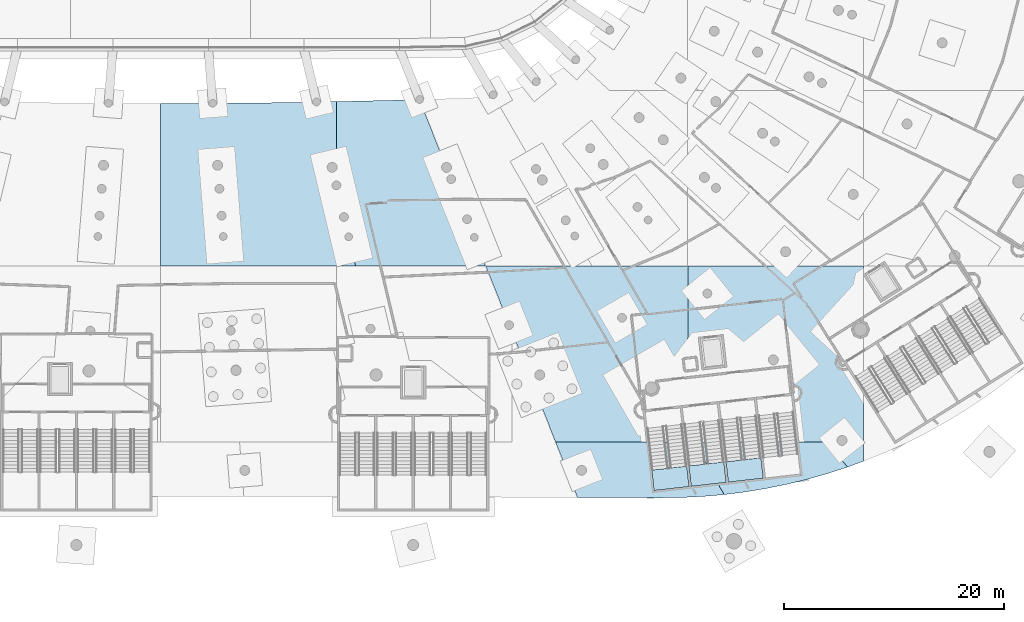
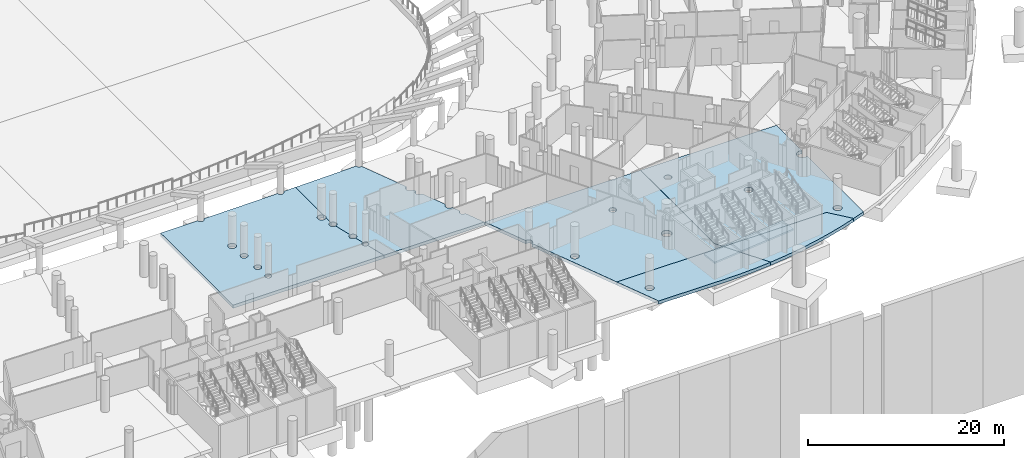
# One storey, part 20 of 142: 9 slabs, 3 elements without a shape of their own.
"""IFC4 building model written with IfcOpenShell, lengths in metres."""

from ifc_helpers import new_model, si_unit, direction, frame, origin, place, context, subcontext, project, spatial, polyline, outline, extrude, material, layer, layer_set, type_object, element, aggregate, save


model = new_model("IFC4")

# Units and contexts
model_context = context("Model", 3, precision=1e-05, world=origin(), true_north=direction((0.0, 1.0)))
body_context = subcontext(model_context, "Body", "Model", "MODEL_VIEW")
ifc_project = project(units=[si_unit("LENGTHUNIT", "METRE"), si_unit("AREAUNIT", "SQUARE_METRE"), si_unit("VOLUMEUNIT", "CUBIC_METRE"), si_unit("PLANEANGLEUNIT", "RADIAN"), si_unit("MASSUNIT", "GRAM", prefix="KILO")], contexts=[model_context])

# Site, building, storey
site_placement = place(None, origin())
site = spatial("IfcSite", under=ifc_project, at=site_placement, CompositionType="ELEMENT")
building_placement = place(site_placement, origin())
building = spatial("IfcBuilding", under=site, at=building_placement, Name="Meseta Stadium", CompositionType="ELEMENT")
storey_placement = place(building_placement, frame((0.0, 0.0, -4.0)))
storey = spatial("IfcBuildingStorey", under=building, at=storey_placement, Name="B1", CompositionType="ELEMENT", Elevation=-4.0)

# Slabs
ifc_material_1 = material(Name="Concrete C30/37", Category="concrete")
ifc_layer_1 = layer(ifc_material_1, 0.39990234375)
ifc_layer_set_1 = layer_set([ifc_layer_1], Name="Base slab 400")
slab_type_1 = type_object("IfcSlabType", Name="Base slab 400", PredefinedType="BASESLAB", material=ifc_layer_set_1)
slab_1_placement = place(storey_placement, frame((0.0, 0.0, -0.39990234375)))
element("IfcSlab", 1, at=slab_1_placement, inside=storey, type_object=slab_type_1, Name="Base slab B1 sector 42 panel 14", PredefinedType="BASESLAB", context=body_context, shape_type="SweptSolid", body=[
    extrude(outline(polyline([(4.676025390625, -65.528564453125), (4.610107421875, -65.508544921875), (4.54931640625, -65.47607421875), (4.49609375, -65.432373046875), (4.452392578125, -65.379150390625), (4.419921875, -65.318359375), (4.39990234375, -65.252197265625), (4.393310546875, -65.185791015625), (3.16357421875, -65.192626953125), (1.58203125, -65.1982421875), (0.0, -65.199951171875), (0.0, -80.0), (17.761962890625, -80.0), (17.2080078125, -77.673095703125), (17.1953125, -77.677001953125), (17.126708984375, -77.683837890625), (17.05810546875, -77.677001953125), (16.9921875, -77.656982421875), (16.931396484375, -77.62451171875), (16.8779296875, -77.580810546875), (16.834228515625, -77.527587890625), (16.8017578125, -77.466796875), (16.78173828125, -77.400634765625), (16.77490234375, -77.33203125), (16.78173828125, -77.263427734375), (16.8017578125, -77.197509765625), (16.834228515625, -77.13671875), (16.8779296875, -77.08349609375), (16.931396484375, -77.039794921875), (16.9921875, -77.007080078125), (17.04541015625, -76.990966796875), (16.790283203125, -75.919189453125), (16.77587890625, -75.923583984375), (16.697509765625, -75.931396484375), (16.619140625, -75.923583984375), (16.543701171875, -75.90087890625), (16.47412109375, -75.863525390625), (16.413330078125, -75.813720703125), (16.36328125, -75.752685546875), (16.326171875, -75.683349609375), (16.30322265625, -75.60791015625), (16.295654296875, -75.529296875), (16.30322265625, -75.450927734375), (16.326171875, -75.37548828125), (16.36328125, -75.30615234375), (16.413330078125, -75.2451171875), (16.47412109375, -75.1953125), (16.543701171875, -75.158203125), (16.604736328125, -75.1396484375), (16.10400390625, -73.036376953125), (16.089599609375, -73.040771484375), (16.010986328125, -73.04833984375), (15.9326171875, -73.040771484375), (15.857421875, -73.017822265625), (15.787841796875, -72.980712890625), (15.726806640625, -72.9306640625), (15.677001953125, -72.869873046875), (15.6396484375, -72.80029296875), (15.616943359375, -72.724853515625), (15.609130859375, -72.646484375), (15.616943359375, -72.568115234375), (15.6396484375, -72.49267578125), (15.677001953125, -72.423095703125), (15.726806640625, -72.3623046875), (15.787841796875, -72.312255859375), (15.857421875, -72.275146484375), (15.9326171875, -72.252197265625), (16.0, -72.24560546875), (16.0, -71.254638671875), (15.9970703125, -71.260009765625), (15.94091796875, -71.32861328125), (15.872314453125, -71.384765625), (15.794189453125, -71.426513671875), (15.70947265625, -71.452392578125), (15.62109375, -71.4609375), (15.532958984375, -71.452392578125), (15.447998046875, -71.426513671875), (15.369873046875, -71.384765625), (15.301513671875, -71.32861328125), (15.2451171875, -71.260009765625), (15.203369140625, -71.181884765625), (15.177734375, -71.09716796875), (15.1689453125, -71.0087890625), (15.177734375, -70.920654296875), (15.203369140625, -70.835693359375), (15.2451171875, -70.757568359375), (15.301513671875, -70.689208984375), (15.369873046875, -70.6328125), (15.447998046875, -70.591064453125), (15.532958984375, -70.5654296875), (15.62109375, -70.556640625), (15.70947265625, -70.5654296875), (15.794189453125, -70.591064453125), (15.872314453125, -70.6328125), (15.94091796875, -70.689208984375), (15.9970703125, -70.757568359375), (16.0, -70.762939453125), (16.0, -65.022216796875), (14.555419921875, -65.051513671875), (14.55615234375, -65.05859375), (14.54931640625, -65.127197265625), (14.529296875, -65.193115234375), (14.496826171875, -65.25390625), (14.453125, -65.307373046875), (14.39990234375, -65.35107421875), (14.339111328125, -65.383544921875), (14.27294921875, -65.403564453125), (14.204345703125, -65.410400390625), (14.1357421875, -65.403564453125), (14.06982421875, -65.383544921875), (14.009033203125, -65.35107421875), (13.955810546875, -65.307373046875), (13.912109375, -65.25390625), (13.87939453125, -65.193115234375), (13.859619140625, -65.127197265625), (13.853515625, -65.06494140625), (12.632080078125, -65.08740234375), (11.05810546875, -65.113037109375), (9.48193359375, -65.1357421875), (7.904052734375, -65.155029296875), (6.324951171875, -65.171142578125), (5.09619140625, -65.180908203125), (5.089599609375, -65.252197265625), (5.069580078125, -65.318359375), (5.037109375, -65.379150390625), (4.993408203125, -65.432373046875), (4.940185546875, -65.47607421875), (4.87939453125, -65.508544921875), (4.8134765625, -65.528564453125), (4.74462890625, -65.535400390625), (4.676025390625, -65.528564453125)]), holes=[polyline([(4.740234375, -70.82421875), (4.748779296875, -70.73583984375), (4.774658203125, -70.65087890625), (4.81640625, -70.572998046875), (4.87255859375, -70.50439453125), (4.941162109375, -70.447998046875), (5.019287109375, -70.40625), (5.104248046875, -70.380615234375), (5.1923828125, -70.371826171875), (5.280517578125, -70.380615234375), (5.365478515625, -70.40625), (5.443603515625, -70.447998046875), (5.51220703125, -70.50439453125), (5.568359375, -70.572998046875), (5.610107421875, -70.65087890625), (5.635986328125, -70.73583984375), (5.64453125, -70.82421875), (5.635986328125, -70.912353515625), (5.610107421875, -70.9970703125), (5.568359375, -71.0751953125), (5.51220703125, -71.143798828125), (5.443603515625, -71.199951171875), (5.365478515625, -71.24169921875), (5.280517578125, -71.267578125), (5.1923828125, -71.2763671875), (5.104248046875, -71.267578125), (5.019287109375, -71.24169921875), (4.941162109375, -71.199951171875), (4.87255859375, -71.143798828125), (4.81640625, -71.0751953125), (4.774658203125, -70.9970703125), (4.748779296875, -70.912353515625), (4.740234375, -70.82421875)]), polyline([(4.9599609375, -72.959228515625), (4.967529296875, -72.880859375), (4.990478515625, -72.805419921875), (5.027587890625, -72.73583984375), (5.07763671875, -72.675048828125), (5.138427734375, -72.625), (5.2080078125, -72.587890625), (5.283447265625, -72.56494140625), (5.36181640625, -72.557373046875), (5.440185546875, -72.56494140625), (5.515625, -72.587890625), (5.585205078125, -72.625), (5.64599609375, -72.675048828125), (5.696044921875, -72.73583984375), (5.733154296875, -72.805419921875), (5.756103515625, -72.880859375), (5.763916015625, -72.959228515625), (5.756103515625, -73.03759765625), (5.733154296875, -73.113037109375), (5.696044921875, -73.1826171875), (5.64599609375, -73.243408203125), (5.585205078125, -73.29345703125), (5.515625, -73.33056640625), (5.440185546875, -73.353515625), (5.36181640625, -73.361083984375), (5.283447265625, -73.353515625), (5.2080078125, -73.33056640625), (5.138427734375, -73.29345703125), (5.07763671875, -73.243408203125), (5.027587890625, -73.1826171875), (4.990478515625, -73.113037109375), (4.967529296875, -73.03759765625), (4.9599609375, -72.959228515625)]), polyline([(5.15478515625, -75.414794921875), (5.16259765625, -75.33642578125), (5.185302734375, -75.260986328125), (5.222412109375, -75.191650390625), (5.2724609375, -75.130615234375), (5.33349609375, -75.080810546875), (5.40283203125, -75.043701171875), (5.478271484375, -75.020751953125), (5.556640625, -75.012939453125), (5.63525390625, -75.020751953125), (5.710693359375, -75.043701171875), (5.780029296875, -75.080810546875), (5.841064453125, -75.130615234375), (5.890869140625, -75.191650390625), (5.927978515625, -75.260986328125), (5.950927734375, -75.33642578125), (5.958740234375, -75.414794921875), (5.950927734375, -75.493408203125), (5.927978515625, -75.568603515625), (5.890869140625, -75.63818359375), (5.841064453125, -75.69921875), (5.780029296875, -75.7490234375), (5.710693359375, -75.786376953125), (5.63525390625, -75.80908203125), (5.556640625, -75.81689453125), (5.478271484375, -75.80908203125), (5.40283203125, -75.786376953125), (5.33349609375, -75.7490234375), (5.2724609375, -75.69921875), (5.222412109375, -75.63818359375), (5.185302734375, -75.568603515625), (5.16259765625, -75.493408203125), (5.15478515625, -75.414794921875)]), polyline([(5.35498046875, -77.3037109375), (5.36181640625, -77.235107421875), (5.381591796875, -77.169189453125), (5.414306640625, -77.1083984375), (5.4580078125, -77.054931640625), (5.51123046875, -77.01123046875), (5.572021484375, -76.978759765625), (5.637939453125, -76.958740234375), (5.70654296875, -76.951904296875), (5.775390625, -76.958740234375), (5.84130859375, -76.978759765625), (5.902099609375, -77.01123046875), (5.955322265625, -77.054931640625), (5.9990234375, -77.1083984375), (6.031494140625, -77.169189453125), (6.051513671875, -77.235107421875), (6.058349609375, -77.3037109375), (6.051513671875, -77.372314453125), (6.031494140625, -77.438232421875), (5.9990234375, -77.4990234375), (5.955322265625, -77.552490234375), (5.902099609375, -77.59619140625), (5.84130859375, -77.628662109375), (5.775390625, -77.648681640625), (5.70654296875, -77.655517578125), (5.637939453125, -77.648681640625), (5.572021484375, -77.628662109375), (5.51123046875, -77.59619140625), (5.4580078125, -77.552490234375), (5.414306640625, -77.4990234375), (5.381591796875, -77.438232421875), (5.36181640625, -77.372314453125), (5.35498046875, -77.3037109375)])]), origin(), (0.0, 0.0, 1.0), 0.39990234375),
])
slab_2_placement = place(storey_placement, frame((0.0, 0.0, -0.39990234375)))
element("IfcSlab", 2, at=slab_2_placement, inside=storey, type_object=slab_type_1, Name="Base slab B1 sector 42 panel 16", PredefinedType="BASESLAB", context=body_context, shape_type="SweptSolid", body=[
    extrude(outline(polyline([(18.90673828125, -64.956298828125), (17.341796875, -64.992919921875), (16.0, -65.022216796875), (16.0, -70.762939453125), (16.038818359375, -70.835693359375), (16.064697265625, -70.920654296875), (16.0732421875, -71.0087890625), (16.064697265625, -71.09716796875), (16.038818359375, -71.181884765625), (16.0, -71.254638671875), (16.0, -72.24560546875), (16.010986328125, -72.244384765625), (16.089599609375, -72.252197265625), (16.164794921875, -72.275146484375), (16.234375, -72.312255859375), (16.29541015625, -72.3623046875), (16.34521484375, -72.423095703125), (16.38232421875, -72.49267578125), (16.4052734375, -72.568115234375), (16.4130859375, -72.646484375), (16.4052734375, -72.724853515625), (16.38232421875, -72.80029296875), (16.34521484375, -72.869873046875), (16.29541015625, -72.9306640625), (16.234375, -72.980712890625), (16.164794921875, -73.017822265625), (16.10400390625, -73.036376953125), (16.604736328125, -75.1396484375), (16.619140625, -75.13525390625), (16.697509765625, -75.12744140625), (16.77587890625, -75.13525390625), (16.851318359375, -75.158203125), (16.9208984375, -75.1953125), (16.981689453125, -75.2451171875), (17.03173828125, -75.30615234375), (17.06884765625, -75.37548828125), (17.091796875, -75.450927734375), (17.099365234375, -75.529296875), (17.091796875, -75.60791015625), (17.06884765625, -75.683349609375), (17.03173828125, -75.752685546875), (16.981689453125, -75.813720703125), (16.9208984375, -75.863525390625), (16.851318359375, -75.90087890625), (16.790283203125, -75.919189453125), (17.04541015625, -76.990966796875), (17.05810546875, -76.9873046875), (17.126708984375, -76.98046875), (17.1953125, -76.9873046875), (17.26123046875, -77.007080078125), (17.322021484375, -77.039794921875), (17.37548828125, -77.08349609375), (17.419189453125, -77.13671875), (17.45166015625, -77.197509765625), (17.4716796875, -77.263427734375), (17.478515625, -77.33203125), (17.4716796875, -77.400634765625), (17.45166015625, -77.466796875), (17.419189453125, -77.527587890625), (17.37548828125, -77.580810546875), (17.322021484375, -77.62451171875), (17.26123046875, -77.656982421875), (17.2080078125, -77.673095703125), (17.761962890625, -80.0), (29.59228515625, -80.0), (28.684814453125, -77.712646484375), (28.63330078125, -77.72802734375), (28.564697265625, -77.73486328125), (28.49609375, -77.72802734375), (28.43017578125, -77.7080078125), (28.369384765625, -77.675537109375), (28.316162109375, -77.6318359375), (28.272216796875, -77.57861328125), (28.23974609375, -77.517822265625), (28.2197265625, -77.451904296875), (28.213134765625, -77.38330078125), (28.2197265625, -77.314697265625), (28.23974609375, -77.24853515625), (28.272216796875, -77.187744140625), (28.316162109375, -77.134521484375), (28.369384765625, -77.0908203125), (28.426025390625, -77.060546875), (28.04931640625, -76.111572265625), (27.989501953125, -76.1298828125), (27.910888671875, -76.1376953125), (27.83251953125, -76.1298828125), (27.757080078125, -76.10693359375), (27.687744140625, -76.06982421875), (27.626708984375, -76.019775390625), (27.576904296875, -75.958984375), (27.53955078125, -75.889404296875), (27.5166015625, -75.81396484375), (27.509033203125, -75.735595703125), (27.5166015625, -75.6572265625), (27.53955078125, -75.581787109375), (27.576904296875, -75.51220703125), (27.626708984375, -75.451416015625), (27.687744140625, -75.4013671875), (27.753662109375, -75.3662109375), (26.60009765625, -72.45947265625), (26.5400390625, -72.4775390625), (26.461669921875, -72.4853515625), (26.38330078125, -72.4775390625), (26.307861328125, -72.45458984375), (26.23828125, -72.41748046875), (26.177490234375, -72.36767578125), (26.12744140625, -72.306640625), (26.09033203125, -72.2373046875), (26.0673828125, -72.161865234375), (26.059814453125, -72.08349609375), (26.0673828125, -72.0048828125), (26.09033203125, -71.9296875), (26.12744140625, -71.860107421875), (26.177490234375, -71.79931640625), (26.23828125, -71.749267578125), (26.30419921875, -71.7138671875), (26.1943359375, -71.43701171875), (26.125732421875, -71.4580078125), (26.03759765625, -71.466552734375), (25.94921875, -71.4580078125), (25.864501953125, -71.43212890625), (25.786376953125, -71.390380859375), (25.7177734375, -71.334228515625), (25.66162109375, -71.265625), (25.61962890625, -71.1875), (25.593994140625, -71.102783203125), (25.585205078125, -71.014404296875), (25.593994140625, -70.92626953125), (25.61962890625, -70.84130859375), (25.66162109375, -70.76318359375), (25.7177734375, -70.694580078125), (25.786376953125, -70.638427734375), (25.861572265625, -70.59814453125), (23.70458984375, -65.16259765625), (23.6533203125, -65.17822265625), (23.584716796875, -65.18505859375), (23.51611328125, -65.17822265625), (23.4501953125, -65.158203125), (23.389404296875, -65.125732421875), (23.3359375, -65.08203125), (23.292236328125, -65.02880859375), (23.259765625, -64.968017578125), (23.23974609375, -64.902099609375), (23.23388671875, -64.843017578125), (22.0283203125, -64.876220703125), (20.468994140625, -64.917236328125), (18.90673828125, -64.956298828125)])), origin(), (0.0, 0.0, 1.0), 0.39990234375),
])
slab_3_placement = place(storey_placement, frame((0.0, 0.0, -0.39990234375)))
element("IfcSlab", 3, at=slab_3_placement, inside=storey, type_object=slab_type_1, Name="Base slab B1 sector 49 panel 02", PredefinedType="BASESLAB", context=body_context, shape_type="SweptSolid", body=[
    extrude(outline(polyline([(31.960205078125, -85.7109375), (31.894287109375, -85.746337890625), (35.963134765625, -96.0), (48.54296875, -96.0), (48.0, -95.060546875), (48.0, -80.0), (29.614013671875, -80.0), (31.598388671875, -85.000732421875), (31.658447265625, -84.982666015625), (31.73681640625, -84.974853515625), (31.815185546875, -84.982666015625), (31.890625, -85.005615234375), (31.960205078125, -85.04248046875), (32.02099609375, -85.092529296875), (32.071044921875, -85.153564453125), (32.108154296875, -85.222900390625), (32.131103515625, -85.29833984375), (32.138916015625, -85.376708984375), (32.131103515625, -85.455078125), (32.108154296875, -85.530517578125), (32.071044921875, -85.60009765625), (32.02099609375, -85.660888671875), (31.960205078125, -85.7109375)]), holes=[polyline([(41.613525390625, -84.707275390625), (41.621337890625, -84.62890625), (41.644287109375, -84.553466796875), (41.681396484375, -84.48388671875), (41.731201171875, -84.423095703125), (41.792236328125, -84.373046875), (41.86181640625, -84.3359375), (41.93701171875, -84.31298828125), (42.015380859375, -84.305419921875), (42.093994140625, -84.31298828125), (42.169189453125, -84.3359375), (42.23876953125, -84.373046875), (42.2998046875, -84.423095703125), (42.349609375, -84.48388671875), (42.386962890625, -84.553466796875), (42.40966796875, -84.62890625), (42.41748046875, -84.707275390625), (42.40966796875, -84.785888671875), (42.386962890625, -84.861083984375), (42.349609375, -84.9306640625), (42.2998046875, -84.99169921875), (42.23876953125, -85.04150390625), (42.169189453125, -85.07861328125), (42.093994140625, -85.1015625), (42.015380859375, -85.109375), (41.93701171875, -85.1015625), (41.86181640625, -85.07861328125), (41.792236328125, -85.04150390625), (41.731201171875, -84.99169921875), (41.681396484375, -84.9306640625), (41.644287109375, -84.861083984375), (41.621337890625, -84.785888671875), (41.613525390625, -84.707275390625)]), polyline([(45.0732421875, -90.7001953125), (45.14208984375, -90.78369140625), (45.193115234375, -90.87939453125), (45.224609375, -90.983154296875), (45.235107421875, -91.0908203125), (45.224609375, -91.19873046875), (45.193115234375, -91.302490234375), (45.14208984375, -91.39794921875), (45.0732421875, -91.481689453125), (44.989501953125, -91.55029296875), (44.89404296875, -91.6015625), (44.790283203125, -91.6328125), (44.6826171875, -91.6435546875), (44.57470703125, -91.6328125), (44.470947265625, -91.6015625), (44.37548828125, -91.55029296875), (44.291748046875, -91.481689453125), (44.222900390625, -91.39794921875), (44.171875, -91.302490234375), (44.140380859375, -91.19873046875), (44.1298828125, -91.0908203125), (44.140380859375, -90.983154296875), (44.171875, -90.87939453125), (44.222900390625, -90.78369140625), (44.291748046875, -90.7001953125), (44.37548828125, -90.63134765625), (44.470947265625, -90.580322265625), (44.57470703125, -90.548828125), (44.6826171875, -90.5380859375), (44.790283203125, -90.548828125), (44.89404296875, -90.580322265625), (44.989501953125, -90.63134765625), (45.0732421875, -90.7001953125)]), polyline([(34.850341796875, -89.59228515625), (34.90673828125, -89.66064453125), (34.948486328125, -89.73876953125), (34.97412109375, -89.82373046875), (34.98291015625, -89.911865234375), (34.97412109375, -90.0), (34.948486328125, -90.0849609375), (34.90673828125, -90.1630859375), (34.850341796875, -90.231689453125), (34.781982421875, -90.287841796875), (34.70361328125, -90.32958984375), (34.618896484375, -90.35546875), (34.53076171875, -90.364013671875), (34.4423828125, -90.35546875), (34.357666015625, -90.32958984375), (34.279541015625, -90.287841796875), (34.2109375, -90.231689453125), (34.15478515625, -90.1630859375), (34.11279296875, -90.0849609375), (34.087158203125, -90.0), (34.07861328125, -89.911865234375), (34.087158203125, -89.82373046875), (34.11279296875, -89.73876953125), (34.15478515625, -89.66064453125), (34.2109375, -89.59228515625), (34.279541015625, -89.535888671875), (34.357666015625, -89.494140625), (34.4423828125, -89.468505859375), (34.53076171875, -89.459716796875), (34.618896484375, -89.468505859375), (34.70361328125, -89.494140625), (34.781982421875, -89.535888671875), (34.850341796875, -89.59228515625)])]), origin(), (0.0, 0.0, 1.0), 0.39990234375),
])
slab_4_placement = place(storey_placement, frame((0.0, 0.0, -0.39990234375)))
element("IfcSlab", 4, at=slab_4_placement, inside=storey, type_object=slab_type_1, Name="Base slab B1 sector 49 panel 04", PredefinedType="BASESLAB", context=body_context, shape_type="SweptSolid", body=[
    extrude(outline(polyline([(35.963134765625, -96.0), (37.975341796875, -101.070556640625), (45.570068359375, -101.09716796875), (47.490478515625, -101.072509765625), (49.408447265625, -100.975830078125), (51.32177734375, -100.807373046875), (48.54296875, -96.0), (35.963134765625, -96.0)]), holes=[polyline([(38.653076171875, -98.919677734375), (38.58447265625, -98.97607421875), (38.50634765625, -99.017822265625), (38.42138671875, -99.04345703125), (38.333251953125, -99.05224609375), (38.2451171875, -99.04345703125), (38.160400390625, -99.017822265625), (38.08203125, -98.97607421875), (38.013671875, -98.919677734375), (37.95751953125, -98.851318359375), (37.91552734375, -98.77294921875), (37.889892578125, -98.688232421875), (37.881103515625, -98.60009765625), (37.889892578125, -98.51171875), (37.91552734375, -98.427001953125), (37.95751953125, -98.348876953125), (38.013671875, -98.2802734375), (38.08203125, -98.22412109375), (38.160400390625, -98.18212890625), (38.2451171875, -98.156494140625), (38.333251953125, -98.147705078125), (38.42138671875, -98.156494140625), (38.50634765625, -98.18212890625), (38.58447265625, -98.22412109375), (38.653076171875, -98.2802734375), (38.709228515625, -98.348876953125), (38.751220703125, -98.427001953125), (38.77685546875, -98.51171875), (38.785400390625, -98.60009765625), (38.77685546875, -98.688232421875), (38.751220703125, -98.77294921875), (38.709228515625, -98.851318359375), (38.653076171875, -98.919677734375)])]), origin(), (0.0, 0.0, 1.0), 0.39990234375),
])
slab_5_placement = place(storey_placement, frame((0.0, 0.0, -0.39990234375)))
element("IfcSlab", 5, at=slab_5_placement, inside=storey, type_object=slab_type_1, Name="Base slab B1 sector 49 panel 06", PredefinedType="BASESLAB", context=body_context, shape_type="SweptSolid", body=[
    extrude(outline(polyline([(58.87109375, -99.4189453125), (60.71923828125, -98.89599609375), (62.54638671875, -98.3037109375), (60.687255859375, -96.0), (48.54296875, -96.0), (51.32177734375, -100.807373046875), (53.227294921875, -100.56689453125), (55.122314453125, -100.2548828125), (57.004638671875, -99.872314453125), (58.87109375, -99.4189453125)])), origin(), (0.0, 0.0, 1.0), 0.39990234375),
])
slab_6_placement = place(storey_placement, frame((0.0, 0.0, -0.39990234375)))
element("IfcSlab", 6, at=slab_6_placement, inside=storey, type_object=slab_type_1, Name="Base slab B1 sector 49 panel 09", PredefinedType="BASESLAB", context=body_context, shape_type="SweptSolid", body=[
    extrude(outline(polyline([(64.0, -80.0), (48.011962890625, -80.0), (48.011962890625, -95.057373046875), (48.553466796875, -95.993896484375), (48.553955078125, -95.9951171875), (48.554443359375, -95.99609375), (48.5546875, -95.997314453125), (48.554931640625, -95.99853515625), (48.554931640625, -95.999755859375), (48.554931640625, -96.0), (60.687255859375, -96.0), (62.54638671875, -98.3037109375), (64.0, -97.771484375), (64.0, -86.3076171875), (63.9619140625, -86.327880859375), (63.848876953125, -86.3623046875), (63.731201171875, -86.373779296875), (63.613525390625, -86.3623046875), (63.50048828125, -86.327880859375), (63.396240234375, -86.272216796875), (63.304931640625, -86.197265625), (63.22998046875, -86.10595703125), (63.17431640625, -86.001708984375), (63.139892578125, -85.888427734375), (63.12841796875, -85.77099609375), (63.139892578125, -85.6533203125), (63.17431640625, -85.540283203125), (63.22998046875, -85.43603515625), (63.304931640625, -85.344482421875), (63.396240234375, -85.26953125), (63.50048828125, -85.2138671875), (63.613525390625, -85.1796875), (63.731201171875, -85.16796875), (63.848876953125, -85.1796875), (63.9619140625, -85.2138671875), (64.0, -85.234130859375), (64.0, -80.0)]), holes=[polyline([(62.4951171875, -95.784423828125), (62.503662109375, -95.872802734375), (62.4951171875, -95.9609375), (62.46923828125, -96.0458984375), (62.427490234375, -96.123779296875), (62.371337890625, -96.1923828125), (62.302734375, -96.248779296875), (62.224609375, -96.29052734375), (62.139892578125, -96.316162109375), (62.051513671875, -96.324951171875), (61.96337890625, -96.316162109375), (61.87841796875, -96.29052734375), (61.80029296875, -96.248779296875), (61.731689453125, -96.1923828125), (61.675537109375, -96.123779296875), (61.6337890625, -96.0458984375), (61.608154296875, -95.9609375), (61.599365234375, -95.872802734375), (61.608154296875, -95.784423828125), (61.6337890625, -95.69970703125), (61.675537109375, -95.62158203125), (61.731689453125, -95.552978515625), (61.80029296875, -95.496826171875), (61.87841796875, -95.455078125), (61.96337890625, -95.42919921875), (62.051513671875, -95.420654296875), (62.139892578125, -95.42919921875), (62.224609375, -95.455078125), (62.302734375, -95.496826171875), (62.371337890625, -95.552978515625), (62.427490234375, -95.62158203125), (62.46923828125, -95.69970703125), (62.4951171875, -95.784423828125)]), polyline([(49.5068359375, -82.782958984375), (49.456787109375, -82.72216796875), (49.419921875, -82.652587890625), (49.39697265625, -82.5771484375), (49.38916015625, -82.498779296875), (49.39697265625, -82.42041015625), (49.419921875, -82.344970703125), (49.456787109375, -82.275390625), (49.5068359375, -82.214599609375), (49.56787109375, -82.16455078125), (49.63720703125, -82.12744140625), (49.712646484375, -82.1044921875), (49.791015625, -82.096923828125), (49.86962890625, -82.1044921875), (49.945068359375, -82.12744140625), (50.014404296875, -82.16455078125), (50.0751953125, -82.214599609375), (50.125244140625, -82.275390625), (50.16259765625, -82.344970703125), (50.185302734375, -82.42041015625), (50.193115234375, -82.498779296875), (50.185302734375, -82.5771484375), (50.16259765625, -82.652587890625), (50.125244140625, -82.72216796875), (50.0751953125, -82.782958984375), (50.014404296875, -82.8330078125), (49.945068359375, -82.8701171875), (49.86962890625, -82.89306640625), (49.791015625, -82.900634765625), (49.712646484375, -82.89306640625), (49.63720703125, -82.8701171875), (49.56787109375, -82.8330078125), (49.5068359375, -82.782958984375)]), polyline([(56.21728515625, -88.36865234375), (56.242919921875, -88.45361328125), (56.251708984375, -88.541748046875), (56.242919921875, -88.6298828125), (56.21728515625, -88.71484375), (56.175537109375, -88.79296875), (56.119140625, -88.861572265625), (56.05078125, -88.917724609375), (55.972412109375, -88.95947265625), (55.8876953125, -88.985107421875), (55.799560546875, -88.993896484375), (55.711181640625, -88.985107421875), (55.62646484375, -88.95947265625), (55.54833984375, -88.917724609375), (55.479736328125, -88.861572265625), (55.423583984375, -88.79296875), (55.381591796875, -88.71484375), (55.35595703125, -88.6298828125), (55.347412109375, -88.541748046875), (55.35595703125, -88.45361328125), (55.381591796875, -88.36865234375), (55.423583984375, -88.29052734375), (55.479736328125, -88.221923828125), (55.54833984375, -88.165771484375), (55.62646484375, -88.1240234375), (55.711181640625, -88.098388671875), (55.799560546875, -88.089599609375), (55.8876953125, -88.098388671875), (55.972412109375, -88.1240234375), (56.05078125, -88.165771484375), (56.119140625, -88.221923828125), (56.175537109375, -88.29052734375), (56.21728515625, -88.36865234375)])]), origin(), (0.0, 0.0, 1.0), 0.39990234375),
])

# Stair, slab
ifc_material_2 = material(Name="Concrete C40/50", Category="concrete")
stair_type = type_object("IfcStairType", Name="Exit stair 2 flights 154 mm risers", PredefinedType="HALF_TURN_STAIR", material=ifc_material_2)
stair_1_placement = place(storey_placement, origin())
stair_1 = element("IfcStair", 7, at=stair_1_placement, inside=storey, type_object=stair_type, Name="ST101 B1", PredefinedType="HALF_TURN_STAIR")
ifc_material_3 = material(Name="Concrete C40/50", Category="concrete")
ifc_layer_2 = layer(ifc_material_3, 0.199951171875)
ifc_layer_set_2 = layer_set([ifc_layer_2], Name="Stair landing 200")
slab_type_2 = type_object("IfcSlabType", Name="Stair landing 200", PredefinedType="LANDING", material=ifc_layer_set_2)
slab_7_placement = place(storey_placement, frame((0.0, 0.0, 1.800048828125)))
slab_7 = element("IfcSlab", 8, at=slab_7_placement, type_object=slab_type_2, Name="ST101 B1 landing 1", PredefinedType="LANDING", context=body_context, shape_type="SweptSolid", body=[
    extrude(outline(polyline([(44.73095703125, -98.57763671875), (44.9404296875, -100.435791015625), (48.1201171875, -100.077392578125), (47.910888671875, -98.21923828125), (44.73095703125, -98.57763671875)])), origin(), (0.0, 0.0, 1.0), 0.199951171875),
])
aggregate(stair_1, [slab_7])

stair_2_placement = place(storey_placement, origin())
stair_2 = element("IfcStair", 9, at=stair_2_placement, inside=storey, type_object=stair_type, Name="ST102 B1", PredefinedType="HALF_TURN_STAIR")
slab_8_placement = place(storey_placement, frame((0.0, 0.0, 1.800048828125)))
slab_8 = element("IfcSlab", 10, at=slab_8_placement, type_object=slab_type_2, Name="ST102 B1 landing 1", PredefinedType="LANDING", context=body_context, shape_type="SweptSolid", body=[
    extrude(outline(polyline([(48.109619140625, -98.19677734375), (48.319091796875, -100.05517578125), (51.498779296875, -99.69677734375), (51.28955078125, -97.838623046875), (48.109619140625, -98.19677734375)])), origin(), (0.0, 0.0, 1.0), 0.199951171875),
])
aggregate(stair_2, [slab_8])

stair_3_placement = place(storey_placement, origin())
stair_3 = element("IfcStair", 11, at=stair_3_placement, inside=storey, type_object=stair_type, Name="ST103 B1", PredefinedType="HALF_TURN_STAIR")
slab_9_placement = place(storey_placement, frame((0.0, 0.0, 1.800048828125)))
slab_9 = element("IfcSlab", 12, at=slab_9_placement, type_object=slab_type_2, Name="ST103 B1 landing 1", PredefinedType="LANDING", context=body_context, shape_type="SweptSolid", body=[
    extrude(outline(polyline([(51.48828125, -97.816162109375), (51.697509765625, -99.67431640625), (54.87744140625, -99.316162109375), (54.668212890625, -97.4580078125), (51.48828125, -97.816162109375)])), origin(), (0.0, 0.0, 1.0), 0.199951171875),
])
aggregate(stair_3, [slab_9])

save(model, "model.ifc")
